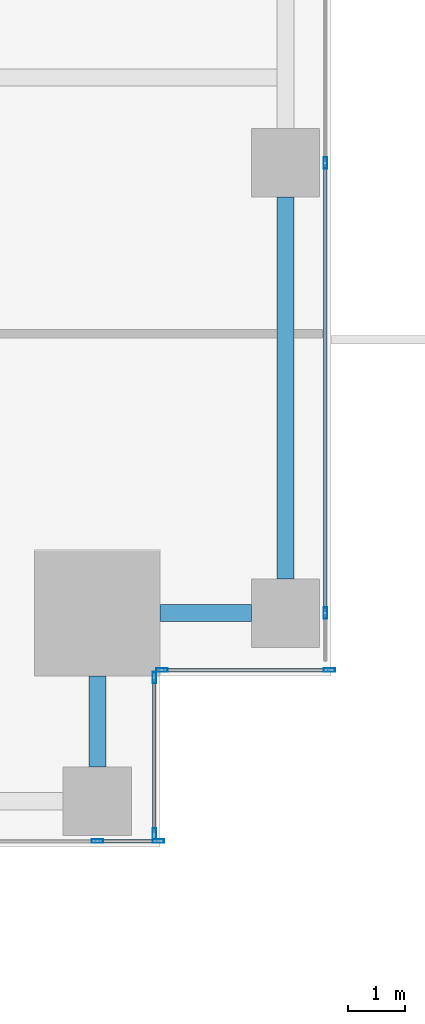
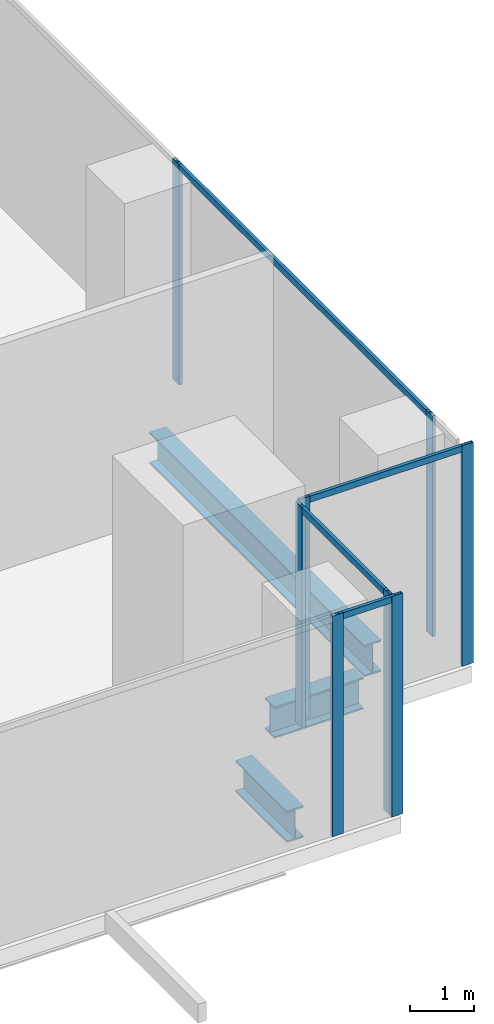
# One storey, part 9 of 33: 12 members, 3 beams, 4 elements without a shape of their own.
"""IFC4 building model written with IfcOpenShell, lengths in metres."""

from ifc_helpers import new_model, si_unit, direction, frame, origin, origin_2d, place, context, subcontext, project, spatial, hollow_rectangle, i_section, extrude, source, transform, mapped, material, material_profile, profile_set, type_object, element, aggregate, save


model = new_model("IFC4")

# Units and contexts
model_context = context("Model", 3, precision=1e-05, world=origin(), true_north=direction((0.0, 1.0)))
body_context = subcontext(model_context, "Body", "Model", "MODEL_VIEW")
ifc_project = project(units=[si_unit("LENGTHUNIT", "METRE"), si_unit("AREAUNIT", "SQUARE_METRE"), si_unit("VOLUMEUNIT", "CUBIC_METRE"), si_unit("PLANEANGLEUNIT", "RADIAN"), si_unit("MASSUNIT", "GRAM", prefix="KILO")], contexts=[model_context])

# Site, building, storey
site_placement = place(None, origin())
site = spatial("IfcSite", under=ifc_project, at=site_placement, CompositionType="ELEMENT")
building_placement = place(site_placement, origin())
building = spatial("IfcBuilding", under=site, at=building_placement, Name="Khomas Fold Tower", CompositionType="ELEMENT")
storey_placement = place(building_placement, frame((0.0, 0.0, 78.0)))
storey = spatial("IfcBuildingStorey", under=building, at=storey_placement, Name="L16", CompositionType="ELEMENT", Elevation=78.0)

# Beams
ifc_material_1 = material(Name="Steel S355", Category="steel")
ifc_material_profile_1 = material_profile(ifc_material_1, i_section(OverallWidth=0.300048828125, OverallDepth=0.60009765625, WebThickness=0.015380859375, FlangeThickness=0.030029296875, at=origin_2d()), Name="HE 600 B")
ifc_profile_set_1 = profile_set([ifc_material_profile_1], Name="Steel S355")
beam_type = type_object("IfcBeamType", Name="HE 600 B spandrel SB1", PredefinedType="SPANDREL", material=ifc_profile_set_1)
shared_shape_1 = source(origin(), body_context, "Body", "SweptSolid", [
    extrude(i_section(OverallWidth=0.300048828125, OverallDepth=0.60009765625, WebThickness=0.015380859375, FlangeThickness=0.030029296875, at=origin_2d()), origin(), (0.0, 0.0, 1.0), 6.699951171875),
])
beam_placement = place(storey_placement, frame((53.199951171875, 4.699951171875, -0.60009765625), z_axis=(0.0, 1.0, 0.0), x_axis=(-1.0, 0.0, 0.0)))
element("IfcBeam", 1, at=beam_placement, inside=storey, type_object=beam_type, Name="SB1", PredefinedType="SPANDREL", context=body_context, shape_type="MappedRepresentation", body=[
    mapped(shared_shape_1, transform((0.0, 0.0, 0.0))),
])
shared_shape_2 = source(origin(), body_context, "Body", "SweptSolid", [
    extrude(i_section(OverallWidth=0.300048828125, OverallDepth=0.60009765625, WebThickness=0.015380859375, FlangeThickness=0.030029296875, at=origin_2d()), origin(), (0.0, 0.0, 1.0), 1.60009765625),
])
for number, where, z_axis, x_axis, name in (
    (2, (49.89990234375, 1.39990234375, -0.60009765625), (0.0, 1.0, 0.0), (-1.0, 0.0, 0.0), "SB1"),
    (3, (51.0, 4.10009765625, -0.60009765625), (1.0, 0.0, 0.0), (0.0, 1.0, 0.0), "SB1"),
):
    element("IfcBeam", number, at=place(storey_placement, frame(where, z_axis=z_axis, x_axis=x_axis)), inside=storey, type_object=beam_type, Name=name, PredefinedType="SPANDREL", context=body_context, shape_type="MappedRepresentation", body=[
        mapped(shared_shape_2, transform((0.0, 0.0, 0.0))),
    ])

# Curtain wall, member
ifc_material_2 = material(Name="Aluminium framed double glazing", Category="aluminium")
curtain_wall_type = type_object("IfcCurtainWallType", Name="SK-Unitised clear-glass wall, growing floors CW1", PredefinedType="NOTDEFINED", material=ifc_material_2)
curtain_wall_1_placement = place(storey_placement, origin())
curtain_wall_1 = element("IfcCurtainWall", 4, at=curtain_wall_1_placement, inside=storey, type_object=curtain_wall_type, Name="CW1 run L16 03-0", PredefinedType="NOTDEFINED")
ifc_material_3 = material(Name="Aluminium", Category="aluminium")
ifc_material_profile_2 = material_profile(ifc_material_3, hollow_rectangle(XDim=0.06005859375, YDim=0.1201171875, WallThickness=0.00390625, at=origin_2d()), Name="SK-Unitised clear-glass wall, growing floors transom CW1-T")
ifc_profile_set_2 = profile_set([ifc_material_profile_2], Name="Aluminium")
member_type_1 = type_object("IfcMemberType", Name="SK-Unitised clear-glass wall, growing floors transom CW1-T", PredefinedType="USERDEFINED", material=ifc_profile_set_2)
shared_shape_3 = source(origin(), body_context, "Body", "SweptSolid", [
    extrude(hollow_rectangle(XDim=0.06005859375, YDim=0.1201171875, WallThickness=0.00390625, at=origin_2d()), origin(), (0.0, 0.0, 1.0), 7.840087890625),
])
member_1_placement = place(storey_placement, frame((53.89990234375, 4.1298828125, 4.139892578125), z_axis=(0.0, 1.0, 0.0), x_axis=(-1.0, 0.0, 0.0)))
member_1 = element("IfcMember", 5, at=member_1_placement, type_object=member_type_1, Name="CW1 transom 2", ObjectType="TRANSOM", PredefinedType="USERDEFINED", context=body_context, shape_type="MappedRepresentation", body=[
    mapped(shared_shape_3, transform((0.0, 0.0, 0.0))),
])

curtain_wall_2_placement = place(storey_placement, origin())
curtain_wall_2 = element("IfcCurtainWall", 6, at=curtain_wall_2_placement, inside=storey, type_object=curtain_wall_type, Name="CW1 run L16 00-0", PredefinedType="NOTDEFINED")
shared_shape_4 = source(origin(), body_context, "Body", "SweptSolid", [
    extrude(hollow_rectangle(XDim=0.06005859375, YDim=0.1201171875, WallThickness=0.00390625, at=origin_2d()), origin(), (0.0, 0.0, 1.0), 1.010009765625),
])
member_2_placement = place(storey_placement, frame((49.929931640625, 0.10009765625, 4.139892578125), z_axis=(1.0, 0.0, 0.0), x_axis=(0.0, 1.0, 0.0)))
member_2 = element("IfcMember", 7, at=member_2_placement, type_object=member_type_1, Name="CW1 transom 8", ObjectType="TRANSOM", PredefinedType="USERDEFINED", context=body_context, shape_type="MappedRepresentation", body=[
    mapped(shared_shape_4, transform((0.0, 0.0, 0.0))),
])

curtain_wall_3_placement = place(storey_placement, origin())
curtain_wall_3 = element("IfcCurtainWall", 8, at=curtain_wall_3_placement, inside=storey, type_object=curtain_wall_type, Name="CW1 corner return L16 01", PredefinedType="NOTDEFINED")
shared_shape_5 = source(origin(), body_context, "Body", "SweptSolid", [
    extrude(hollow_rectangle(XDim=0.06005859375, YDim=0.1201171875, WallThickness=0.00390625, at=origin_2d()), origin(), (0.0, 0.0, 1.0), 2.679931640625),
])
member_3_placement = place(storey_placement, frame((50.89990234375, 0.260009765625, 4.139892578125), z_axis=(0.0, 1.0, 0.0), x_axis=(-1.0, 0.0, 0.0)))
member_3 = element("IfcMember", 9, at=member_3_placement, type_object=member_type_1, Name="CW1 transom 1", ObjectType="TRANSOM", PredefinedType="USERDEFINED", context=body_context, shape_type="MappedRepresentation", body=[
    mapped(shared_shape_5, transform((0.0, 0.0, 0.0))),
])

curtain_wall_4_placement = place(storey_placement, origin())
curtain_wall_4 = element("IfcCurtainWall", 10, at=curtain_wall_4_placement, inside=storey, type_object=curtain_wall_type, Name="CW1 corner return L16 02", PredefinedType="NOTDEFINED")
shared_shape_6 = source(origin(), body_context, "Body", "SweptSolid", [
    extrude(hollow_rectangle(XDim=0.06005859375, YDim=0.1201171875, WallThickness=0.00390625, at=origin_2d()), origin(), (0.0, 0.0, 1.0), 2.8798828125),
])
member_4_placement = place(storey_placement, frame((51.06005859375, 3.10009765625, 4.139892578125), z_axis=(1.0, 0.0, 0.0), x_axis=(0.0, 1.0, 0.0)))
member_4 = element("IfcMember", 11, at=member_4_placement, type_object=member_type_1, Name="CW1 transom 1", ObjectType="TRANSOM", PredefinedType="USERDEFINED", context=body_context, shape_type="MappedRepresentation", body=[
    mapped(shared_shape_6, transform((0.0, 0.0, 0.0))),
])

# Member
ifc_material_4 = material(Name="Aluminium", Category="aluminium")
ifc_material_profile_3 = material_profile(ifc_material_4, hollow_rectangle(XDim=0.06005859375, YDim=0.199951171875, WallThickness=0.00390625, at=origin_2d()), Name="SK-Unitised clear-glass wall, growing floors mullion CW1-M")
ifc_profile_set_3 = profile_set([ifc_material_profile_3], Name="Aluminium")
member_type_2 = type_object("IfcMemberType", Name="SK-Unitised clear-glass wall, growing floors mullion CW1-M", PredefinedType="MULLION", material=ifc_profile_set_3)
shared_shape_7 = source(origin(), body_context, "Body", "SweptSolid", [
    extrude(hollow_rectangle(XDim=0.06005859375, YDim=0.199951171875, WallThickness=0.00390625, at=origin_2d()), origin(), (0.0, 0.0, 1.0), 4.199951171875),
])
member_5_placement = place(storey_placement, frame((49.89990234375, 0.10009765625, 0.0), z_axis=(0.0, 0.0, 1.0), x_axis=(0.0, 1.0, 0.0)))
member_5 = element("IfcMember", 12, at=member_5_placement, type_object=member_type_2, Name="CW1 mullion 8", PredefinedType="MULLION", context=body_context, shape_type="MappedRepresentation", body=[
    mapped(shared_shape_7, transform((0.0, 0.0, 0.0))),
])

member_6_placement = place(storey_placement, frame((50.969970703125, 0.10009765625, 0.0), z_axis=(0.0, 0.0, 1.0), x_axis=(0.0, 1.0, 0.0)))
member_6 = element("IfcMember", 13, at=member_6_placement, type_object=member_type_2, Name="CW1 mullion 9", PredefinedType="MULLION", context=body_context, shape_type="MappedRepresentation", body=[
    mapped(shared_shape_7, transform((0.0, 0.0, 0.0))),
])

aggregate(curtain_wall_2, [member_5, member_6, member_2])

member_7_placement = place(storey_placement, frame((50.89990234375, 0.22998046875, 0.0), z_axis=(0.0, 0.0, 1.0), x_axis=(-1.0, 0.0, 0.0)))
member_7 = element("IfcMember", 14, at=member_7_placement, type_object=member_type_2, Name="CW1 mullion 1", PredefinedType="MULLION", context=body_context, shape_type="MappedRepresentation", body=[
    mapped(shared_shape_7, transform((0.0, 0.0, 0.0))),
])

member_8_placement = place(storey_placement, frame((50.89990234375, 2.969970703125, 0.0), z_axis=(0.0, 0.0, 1.0), x_axis=(-1.0, 0.0, 0.0)))
member_8 = element("IfcMember", 15, at=member_8_placement, type_object=member_type_2, Name="CW1 mullion 2", PredefinedType="MULLION", context=body_context, shape_type="MappedRepresentation", body=[
    mapped(shared_shape_7, transform((0.0, 0.0, 0.0))),
])

aggregate(curtain_wall_3, [member_7, member_8, member_3])

member_9_placement = place(storey_placement, frame((51.030029296875, 3.10009765625, 0.0), z_axis=(0.0, 0.0, 1.0), x_axis=(0.0, 1.0, 0.0)))
member_9 = element("IfcMember", 16, at=member_9_placement, type_object=member_type_2, Name="CW1 mullion 1", PredefinedType="MULLION", context=body_context, shape_type="MappedRepresentation", body=[
    mapped(shared_shape_7, transform((0.0, 0.0, 0.0))),
])

member_10_placement = place(storey_placement, frame((53.969970703125, 3.10009765625, 0.0), z_axis=(0.0, 0.0, 1.0), x_axis=(0.0, 1.0, 0.0)))
member_10 = element("IfcMember", 17, at=member_10_placement, type_object=member_type_2, Name="CW1 mullion 2", PredefinedType="MULLION", context=body_context, shape_type="MappedRepresentation", body=[
    mapped(shared_shape_7, transform((0.0, 0.0, 0.0))),
])

aggregate(curtain_wall_4, [member_9, member_10, member_4])

member_11_placement = place(storey_placement, frame((53.89990234375, 4.10009765625, 0.0), z_axis=(0.0, 0.0, 1.0), x_axis=(-1.0, 0.0, 0.0)))
member_11 = element("IfcMember", 18, at=member_11_placement, type_object=member_type_2, Name="CW1 mullion 2", PredefinedType="MULLION", context=body_context, shape_type="MappedRepresentation", body=[
    mapped(shared_shape_7, transform((0.0, 0.0, 0.0))),
])

member_12_placement = place(storey_placement, frame((53.89990234375, 12.0, 0.0), z_axis=(0.0, 0.0, 1.0), x_axis=(-1.0, 0.0, 0.0)))
member_12 = element("IfcMember", 19, at=member_12_placement, type_object=member_type_2, Name="CW1 mullion 3", PredefinedType="MULLION", context=body_context, shape_type="MappedRepresentation", body=[
    mapped(shared_shape_7, transform((0.0, 0.0, 0.0))),
])

aggregate(curtain_wall_1, [member_11, member_12, member_1])

save(model, "model.ifc")
